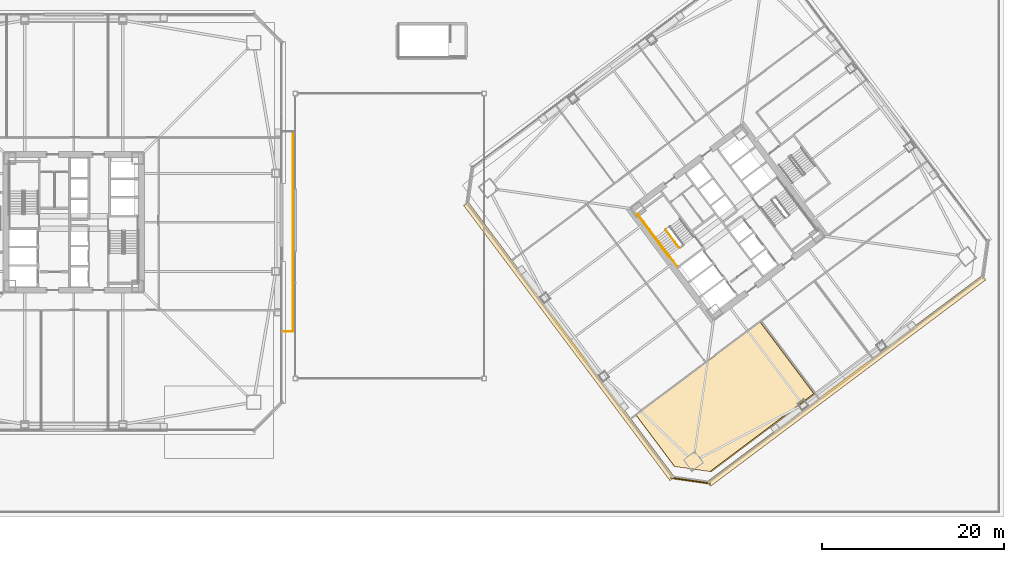
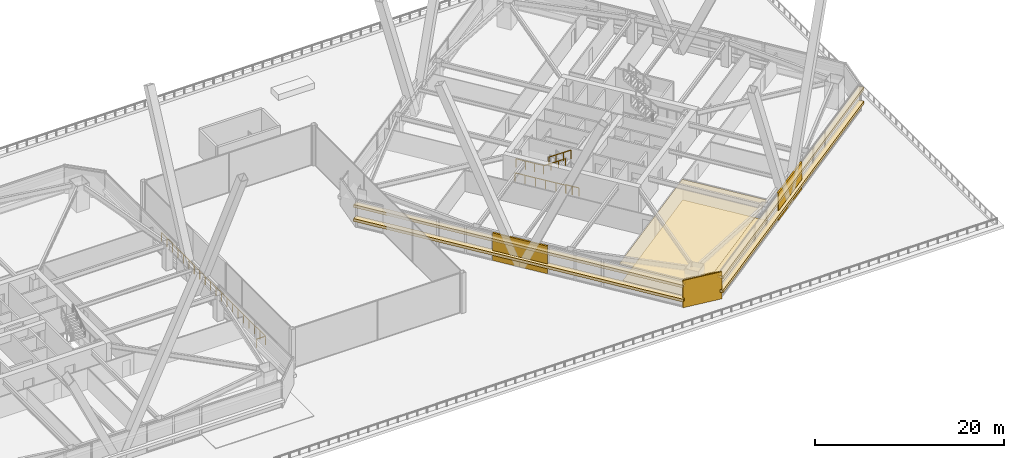
# One storey, part 77 of 83: 9 coverings, 7 railings.
"""IFC4 building model written with IfcOpenShell, lengths in metres."""

from ifc_helpers import new_model, si_unit, direction, frame, origin, origin_2d, place, context, subcontext, project, spatial, polyline, rectangle, outline, extrude, material, layer, layer_set, type_object, element, save


model = new_model("IFC4")

# Units and contexts
model_context = context("Model", 3, precision=1e-05, world=origin(), true_north=direction((0.0, 1.0)))
body_context = subcontext(model_context, "Body", "Model", "MODEL_VIEW")
ifc_project = project(units=[si_unit("LENGTHUNIT", "METRE"), si_unit("AREAUNIT", "SQUARE_METRE"), si_unit("VOLUMEUNIT", "CUBIC_METRE"), si_unit("PLANEANGLEUNIT", "RADIAN"), si_unit("MASSUNIT", "GRAM", prefix="KILO")], contexts=[model_context])

# Site, building, storey
site_placement = place(None, origin())
site = spatial("IfcSite", under=ifc_project, at=site_placement, CompositionType="ELEMENT")
building_placement = place(site_placement, origin())
building = spatial("IfcBuilding", under=site, at=building_placement, Name="Tashvorn Skyway Center", CompositionType="ELEMENT")
storey_placement = place(building_placement, frame((0.0, 0.0, 24.60009765625)))
storey = spatial("IfcBuildingStorey", under=building, at=storey_placement, Name="L05", CompositionType="ELEMENT", Elevation=24.60009765625)

# Coverings
ifc_material_1 = material(Name="Precast concrete C40/50", Category="concrete")
ifc_layer_1 = layer(ifc_material_1, 0.199951171875)
ifc_layer_set_1 = layer_set([ifc_layer_1], Name="Precast concrete C40/50")
covering_type_1 = type_object("IfcCoveringType", Name="COV-BRACE-CLAD", PredefinedType="CLADDING", material=ifc_layer_set_1)
for number, where, z_axis, x_axis, name in (
    (1, (127.008056640625, 14.656005859375, 0.0), (0.0, 0.0, 1.0), (-0.799999996291, -0.600000004945, 0.0), "Tower 2 L05 South Unitised Curtain Wall Mega-Brace Cladding Band 1"),
    (2, (96.656005859375, 18.991943359375, 0.0), (0.0, 0.0, 1.0), (-0.600000004945, 0.799999996291, 0.0), "Tower 2 L05 West Unitised Curtain Wall Mega-Brace Cladding Band 1"),
):
    element("IfcCovering", number, at=place(storey_placement, frame(where, z_axis=z_axis, x_axis=x_axis)), inside=storey, type_object=covering_type_1, Name=name, PredefinedType="CLADDING", context=body_context, shape_type="SweptSolid", body=[
        extrude(rectangle(XDim=6.293212890625, YDim=0.199951171875, at=origin_2d()), origin(), (0.0, 0.0, 1.0), 3.550048828125),
    ])
ifc_material_2 = material(Name="Mineral-fibre acoustic ceiling tile on suspended grid")
ifc_layer_2 = layer(ifc_material_2, 0.02001953125)
ifc_layer_set_2 = layer_set([ifc_layer_2], Name="Mineral-fibre acoustic ceiling tile on suspended grid")
covering_type_2 = type_object("IfcCoveringType", Name="COV-CEIL-20", PredefinedType="CEILING", material=ifc_layer_set_2)
covering_1_placement = place(storey_placement, frame((0.0, 0.0, 2.682861328125)))
element("IfcCovering", 3, at=covering_1_placement, inside=storey, type_object=covering_type_2, Name="Tower 2 L05 Open Plan Office Acoustic Ceiling", PredefinedType="CEILING", context=body_context, shape_type="SweptSolid", body=[
    extrude(outline(polyline([(103.93994140625, 10.780029296875), (117.587890625, 21.01611328125), (123.491943359375, 13.14404296875), (112.052001953125, 4.56396484375), (108.18798828125, 5.115966796875), (103.93994140625, 10.780029296875)])), origin(), (0.0, 0.0, 1.0), 0.02001953125),
])
ifc_material_3 = material(Name="Polished Mojave desert-aggregate terrazzo and cover plate")
ifc_layer_3 = layer(ifc_material_3, 0.0400390625)
ifc_layer_set_3 = layer_set([ifc_layer_3], Name="Polished Mojave desert-aggregate terrazzo and cover plate")
covering_type_3 = type_object("IfcCoveringType", Name="COV-FLR-40", PredefinedType="FLOORING", material=ifc_layer_set_3)
covering_2_placement = place(storey_placement, origin())
element("IfcCovering", 4, at=covering_2_placement, inside=storey, type_object=covering_type_3, Name="Tower 2 L05 Open Plan Office Finish Flooring", PredefinedType="FLOORING", context=body_context, shape_type="SweptSolid", body=[
    extrude(outline(polyline([(112.219970703125, 4.5400390625), (108.132080078125, 5.1240234375), (103.931884765625, 10.72412109375), (117.64404296875, 21.008056640625), (123.595947265625, 13.072021484375), (112.219970703125, 4.5400390625)])), origin(), (0.0, 0.0, 1.0), 0.039794921875),
])
ifc_material_4 = material(Name="Perforated ceramic-coated bronze aluminium solar screen", Category="aluminium")
ifc_layer_4 = layer(ifc_material_4, 0.85009765625)
ifc_layer_set_4 = layer_set([ifc_layer_4], Name="Perforated ceramic-coated bronze aluminium solar screen")
covering_type_4 = type_object("IfcCoveringType", Name="COV-SOLAR-BAND", PredefinedType="CLADDING", material=ifc_layer_set_4)
for number, where, z_axis, x_axis, name in (
    (5, (127.092041015625, 14.5439453125, 0.919921875), (0.0, 0.0, 1.0), (-0.799999996291, -0.600000004945, 0.0), "L05 Perforated Ceramic-Metal Solar Screen Louvre Band South 1"),
    (6, (127.092041015625, 14.5439453125, 2.7197265625), (0.0, 0.0, 1.0), (-0.799999996291, -0.600000004945, 0.0), "L05 Perforated Ceramic-Metal Solar Screen Louvre Band South 2"),
    (7, (96.5439453125, 18.907958984375, 0.919921875), (0.0, 0.0, 1.0), (-0.600000004945, 0.799999996291, 0.0), "L05 Perforated Ceramic-Metal Solar Screen Louvre Band West 1"),
    (8, (96.5439453125, 18.907958984375, 2.7197265625), (0.0, 0.0, 1.0), (-0.600000004945, 0.799999996291, 0.0), "L05 Perforated Ceramic-Metal Solar Screen Louvre Band West 2"),
):
    element("IfcCovering", number, at=place(storey_placement, frame(where, z_axis=z_axis, x_axis=x_axis)), inside=storey, type_object=covering_type_4, Name=name, PredefinedType="CLADDING", context=body_context, shape_type="SweptSolid", body=[
        extrude(rectangle(XDim=37.8798828125, YDim=0.639892578125, at=origin_2d()), origin(), (0.0, 0.0, 1.0), 0.360107421875),
    ])
ifc_layer_5 = layer(ifc_material_1, 0.35009765625)
ifc_layer_set_5 = layer_set([ifc_layer_5], Name="Precast concrete C40/50")
covering_type_5 = type_object("IfcCoveringType", Name="COV-STONE-TRIM", PredefinedType="CLADDING", material=ifc_layer_set_5)
covering_3_placement = place(storey_placement, frame((109.93603515625, 3.552001953125, 0.02001953125), z_axis=(0.0, 0.0, 1.0), x_axis=(-0.989949494535, 0.141421350118, 0.0)))
element("IfcCovering", 9, at=covering_3_placement, inside=storey, type_object=covering_type_5, Name="Tower 2 L05 SW Mojave Limestone Corner Quoin", PredefinedType="CLADDING", context=body_context, shape_type="SweptSolid", body=[
    extrude(rectangle(XDim=4.402587890625, YDim=0.139892578125, at=origin_2d()), origin(), (0.0, 0.0, 1.0), 3.510009765625),
])

# Railings
ifc_material_5 = material(Name="Galvanized steel S355", Category="steel")
railing_type_1 = type_object("IfcRailingType", Name="RAIL-GUARD-1120", PredefinedType="GUARDRAIL", material=ifc_material_5)
railing_1_placement = place(storey_placement, frame((65.050048828125, 20.0, 0.0)))
element("IfcRailing", 10, at=railing_1_placement, inside=storey, type_object=railing_type_1, Name="L05 Podium Garden Plaza Guardrail 01", PredefinedType="GUARDRAIL", context=body_context, shape_type="SweptSolid", body=[
    extrude(rectangle(XDim=0.048095703125, YDim=0.048095703125, at=origin_2d()), frame((0.0, 0.0, 1.09619140625), z_axis=(1.0, 0.0, 0.0), x_axis=(0.0, 1.0, 0.0)), (0.0, 0.0, 1.0), 1.099853515625),
    extrude(rectangle(XDim=0.0419921875, YDim=0.0419921875, at=origin_2d()), origin(), (0.0, 0.0, 1.0), 1.072021484375),
    extrude(rectangle(XDim=0.0419921875, YDim=0.0419921875, at=origin_2d()), frame((1.099853515625, 0.0, 0.0)), (0.0, 0.0, 1.0), 1.072021484375),
])
railing_2_placement = place(storey_placement, frame((66.14990234375, 20.0, 0.0)))
element("IfcRailing", 11, at=railing_2_placement, inside=storey, type_object=railing_type_1, Name="L05 Podium Garden Plaza Guardrail 02", PredefinedType="GUARDRAIL", context=body_context, shape_type="SweptSolid", body=[
    extrude(rectangle(XDim=0.048095703125, YDim=0.048095703125, at=origin_2d()), frame((0.0, 0.0, 1.09619140625), z_axis=(0.0, 1.0, 0.0), x_axis=(-1.0, 0.0, 0.0)), (0.0, 0.0, 1.0), 22.0),
    extrude(rectangle(XDim=0.0419921875, YDim=0.0419921875, at=origin_2d()), origin(), (0.0, 0.0, 1.0), 1.072021484375),
    extrude(rectangle(XDim=0.0419921875, YDim=0.0419921875, at=origin_2d()), frame((0.0, 1.157958984375, 0.0)), (0.0, 0.0, 1.0), 1.072021484375),
    extrude(rectangle(XDim=0.0419921875, YDim=0.0419921875, at=origin_2d()), frame((0.0, 2.315673828125, 0.0)), (0.0, 0.0, 1.0), 1.072021484375),
    extrude(rectangle(XDim=0.0419921875, YDim=0.0419921875, at=origin_2d()), frame((0.0, 3.4736328125, 0.0)), (0.0, 0.0, 1.0), 1.072021484375),
    extrude(rectangle(XDim=0.0419921875, YDim=0.0419921875, at=origin_2d()), frame((0.0, 4.631591796875, 0.0)), (0.0, 0.0, 1.0), 1.072021484375),
    extrude(rectangle(XDim=0.0419921875, YDim=0.0419921875, at=origin_2d()), frame((0.0, 5.78955078125, 0.0)), (0.0, 0.0, 1.0), 1.072021484375),
    extrude(rectangle(XDim=0.0419921875, YDim=0.0419921875, at=origin_2d()), frame((0.0, 6.947265625, 0.0)), (0.0, 0.0, 1.0), 1.072021484375),
    extrude(rectangle(XDim=0.0419921875, YDim=0.0419921875, at=origin_2d()), frame((0.0, 8.105224609375, 0.0)), (0.0, 0.0, 1.0), 1.072021484375),
    extrude(rectangle(XDim=0.0419921875, YDim=0.0419921875, at=origin_2d()), frame((0.0, 9.26318359375, 0.0)), (0.0, 0.0, 1.0), 1.072021484375),
    extrude(rectangle(XDim=0.0419921875, YDim=0.0419921875, at=origin_2d()), frame((0.0, 10.421142578125, 0.0)), (0.0, 0.0, 1.0), 1.072021484375),
    extrude(rectangle(XDim=0.0419921875, YDim=0.0419921875, at=origin_2d()), frame((0.0, 11.578857421875, 0.0)), (0.0, 0.0, 1.0), 1.072021484375),
    extrude(rectangle(XDim=0.0419921875, YDim=0.0419921875, at=origin_2d()), frame((0.0, 12.73681640625, 0.0)), (0.0, 0.0, 1.0), 1.072021484375),
    extrude(rectangle(XDim=0.0419921875, YDim=0.0419921875, at=origin_2d()), frame((0.0, 13.894775390625, 0.0)), (0.0, 0.0, 1.0), 1.072021484375),
    extrude(rectangle(XDim=0.0419921875, YDim=0.0419921875, at=origin_2d()), frame((0.0, 15.052734375, 0.0)), (0.0, 0.0, 1.0), 1.072021484375),
    extrude(rectangle(XDim=0.0419921875, YDim=0.0419921875, at=origin_2d()), frame((0.0, 16.21044921875, 0.0)), (0.0, 0.0, 1.0), 1.072021484375),
    extrude(rectangle(XDim=0.0419921875, YDim=0.0419921875, at=origin_2d()), frame((0.0, 17.368408203125, 0.0)), (0.0, 0.0, 1.0), 1.072021484375),
    extrude(rectangle(XDim=0.0419921875, YDim=0.0419921875, at=origin_2d()), frame((0.0, 18.5263671875, 0.0)), (0.0, 0.0, 1.0), 1.072021484375),
    extrude(rectangle(XDim=0.0419921875, YDim=0.0419921875, at=origin_2d()), frame((0.0, 19.684326171875, 0.0)), (0.0, 0.0, 1.0), 1.072021484375),
    extrude(rectangle(XDim=0.0419921875, YDim=0.0419921875, at=origin_2d()), frame((0.0, 20.842041015625, 0.0)), (0.0, 0.0, 1.0), 1.072021484375),
    extrude(rectangle(XDim=0.0419921875, YDim=0.0419921875, at=origin_2d()), frame((0.0, 22.0, 0.0)), (0.0, 0.0, 1.0), 1.072021484375),
])
ifc_material_6 = material(Name="Brushed stainless steel 316", Category="steel")
railing_type_2 = type_object("IfcRailingType", Name="RAIL-HAND-920", PredefinedType="HANDRAIL", material=ifc_material_6)
railing_3_placement = place(storey_placement, frame((106.072021484375, 30.35400390625, 1.952392578125)))
element("IfcRailing", 12, at=railing_3_placement, inside=storey, type_object=railing_type_2, Name="L05 ST-T2-1 stair handrail 2", PredefinedType="HANDRAIL", context=body_context, shape_type="SweptSolid", body=[
    extrude(rectangle(XDim=0.048095703125, YDim=0.048095703125, at=origin_2d()), frame((0.0, 0.0, 0.8759765625), z_axis=(0.506740800098, -0.675708949977, 0.535379469569), x_axis=(0.800023250257, 0.599968998406, 0.0)), (0.0, 0.0, 1.0), 2.983642578125),
    extrude(rectangle(XDim=0.0419921875, YDim=0.0419921875, at=origin_2d()), origin(), (0.0, 0.0, 1.0), 0.851806640625),
    extrude(rectangle(XDim=0.0419921875, YDim=0.0419921875, at=origin_2d()), frame((0.50390625, -0.672119140625, 0.532470703125)), (0.0, 0.0, 1.0), 0.851806640625),
    extrude(rectangle(XDim=0.0419921875, YDim=0.0419921875, at=origin_2d()), frame((1.008056640625, -1.343994140625, 1.06494140625)), (0.0, 0.0, 1.0), 0.851806640625),
    extrude(rectangle(XDim=0.0419921875, YDim=0.0419921875, at=origin_2d()), frame((1.511962890625, -2.01611328125, 1.597412109375)), (0.0, 0.0, 1.0), 0.851806640625),
])
ifc_material_7 = material(Name="Painted galvanized steel S355", Category="steel")
railing_type_3 = type_object("IfcRailingType", Name="RAIL-STGUARD-1100", PredefinedType="GUARDRAIL", material=ifc_material_7)
railing_4_placement = place(storey_placement, frame((106.072021484375, 30.35400390625, 1.77490234375)))
element("IfcRailing", 13, at=railing_4_placement, inside=storey, type_object=railing_type_3, Name="L05 ST-T2-1 stair guard 3", PredefinedType="GUARDRAIL", context=body_context, shape_type="SweptSolid", body=[
    extrude(rectangle(XDim=0.048095703125, YDim=0.048095703125, at=origin_2d()), frame((0.0, 0.0, 1.076171875), z_axis=(-0.599987638607, 0.800009270896, 0.0), x_axis=(-0.800009270896, -0.599987638607, 0.0)), (0.0, 0.0, 1.0), 3.16015625),
    extrude(rectangle(XDim=0.0419921875, YDim=0.0419921875, at=origin_2d()), origin(), (0.0, 0.0, 1.0), 1.052001953125),
    extrude(rectangle(XDim=0.0419921875, YDim=0.0419921875, at=origin_2d()), frame((-0.632080078125, 0.8427734375, 0.0)), (0.0, 0.0, 1.0), 1.052001953125),
    extrude(rectangle(XDim=0.0419921875, YDim=0.0419921875, at=origin_2d()), frame((-1.263916015625, 1.685302734375, 0.0)), (0.0, 0.0, 1.0), 1.052001953125),
    extrude(rectangle(XDim=0.0419921875, YDim=0.0419921875, at=origin_2d()), frame((-1.89599609375, 2.528076171875, 0.0)), (0.0, 0.0, 1.0), 1.052001953125),
])
railing_5_placement = place(storey_placement, frame((107.19189453125, 31.194091796875, 1.952392578125)))
element("IfcRailing", 14, at=railing_5_placement, inside=storey, type_object=railing_type_3, Name="L05 ST-T2-1 stair guard 4", PredefinedType="GUARDRAIL", context=body_context, shape_type="SweptSolid", body=[
    extrude(rectangle(XDim=0.048095703125, YDim=0.048095703125, at=origin_2d()), frame((0.0, 0.0, 1.076171875), z_axis=(0.506801609611, -0.675680931896, 0.535357270211), x_axis=(0.799976749893, 0.600030998891, 0.0)), (0.0, 0.0, 1.0), 2.98388671875),
    extrude(rectangle(XDim=0.0419921875, YDim=0.0419921875, at=origin_2d()), origin(), (0.0, 0.0, 1.0), 1.052001953125),
    extrude(rectangle(XDim=0.0419921875, YDim=0.0419921875, at=origin_2d()), frame((0.504150390625, -0.672119140625, 0.532470703125)), (0.0, 0.0, 1.0), 1.052001953125),
    extrude(rectangle(XDim=0.0419921875, YDim=0.0419921875, at=origin_2d()), frame((1.008056640625, -1.343994140625, 1.06494140625)), (0.0, 0.0, 1.0), 1.052001953125),
    extrude(rectangle(XDim=0.0419921875, YDim=0.0419921875, at=origin_2d()), frame((1.51220703125, -2.01611328125, 1.597412109375)), (0.0, 0.0, 1.0), 1.052001953125),
])
railing_6_placement = place(storey_placement, frame((108.49609375, 27.1220703125, 0.0)))
element("IfcRailing", 15, at=railing_6_placement, inside=storey, type_object=railing_type_3, Name="L05 ST-T2-1 stair guard 6", PredefinedType="GUARDRAIL", context=body_context, shape_type="SweptSolid", body=[
    extrude(rectangle(XDim=0.048095703125, YDim=0.048095703125, at=origin_2d()), frame((0.0, 0.0, 1.076171875), z_axis=(-0.600102796382, 0.799922892393, 0.0), x_axis=(-0.799922892393, -0.600102796382, 0.0)), (0.0, 0.0, 1.0), 1.52001953125),
    extrude(rectangle(XDim=0.0419921875, YDim=0.0419921875, at=origin_2d()), origin(), (0.0, 0.0, 1.0), 1.052001953125),
    extrude(rectangle(XDim=0.0419921875, YDim=0.0419921875, at=origin_2d()), frame((-0.4560546875, 0.60791015625, 0.0)), (0.0, 0.0, 1.0), 1.052001953125),
    extrude(rectangle(XDim=0.0419921875, YDim=0.0419921875, at=origin_2d()), frame((-0.912109375, 1.2158203125, 0.0)), (0.0, 0.0, 1.0), 1.052001953125),
])
railing_7_placement = place(storey_placement, frame((107.56396484375, 28.197998046875, 0.0)))
element("IfcRailing", 16, at=railing_7_placement, inside=storey, type_object=railing_type_3, Name="L05 ST-T2-1 stair guard 7", PredefinedType="GUARDRAIL", context=body_context, shape_type="SweptSolid", body=[
    extrude(rectangle(XDim=0.048095703125, YDim=0.048095703125, at=origin_2d()), frame((0.0, 0.0, 1.076171875), z_axis=(-0.6, 0.8, 0.0), x_axis=(-0.8, -0.6, 0.0)), (0.0, 0.0, 1.0), 5.880126953125),
    extrude(rectangle(XDim=0.0419921875, YDim=0.0419921875, at=origin_2d()), origin(), (0.0, 0.0, 1.0), 1.052001953125),
    extrude(rectangle(XDim=0.0419921875, YDim=0.0419921875, at=origin_2d()), frame((-0.70556640625, 0.94091796875, 0.0)), (0.0, 0.0, 1.0), 1.052001953125),
    extrude(rectangle(XDim=0.0419921875, YDim=0.0419921875, at=origin_2d()), frame((-1.4111328125, 1.881591796875, 0.0)), (0.0, 0.0, 1.0), 1.052001953125),
    extrude(rectangle(XDim=0.0419921875, YDim=0.0419921875, at=origin_2d()), frame((-2.116943359375, 2.822509765625, 0.0)), (0.0, 0.0, 1.0), 1.052001953125),
    extrude(rectangle(XDim=0.0419921875, YDim=0.0419921875, at=origin_2d()), frame((-2.822509765625, 3.76318359375, 0.0)), (0.0, 0.0, 1.0), 1.052001953125),
    extrude(rectangle(XDim=0.0419921875, YDim=0.0419921875, at=origin_2d()), frame((-3.528076171875, 4.7041015625, 0.0)), (0.0, 0.0, 1.0), 1.052001953125),
])

save(model, "model.ifc")
